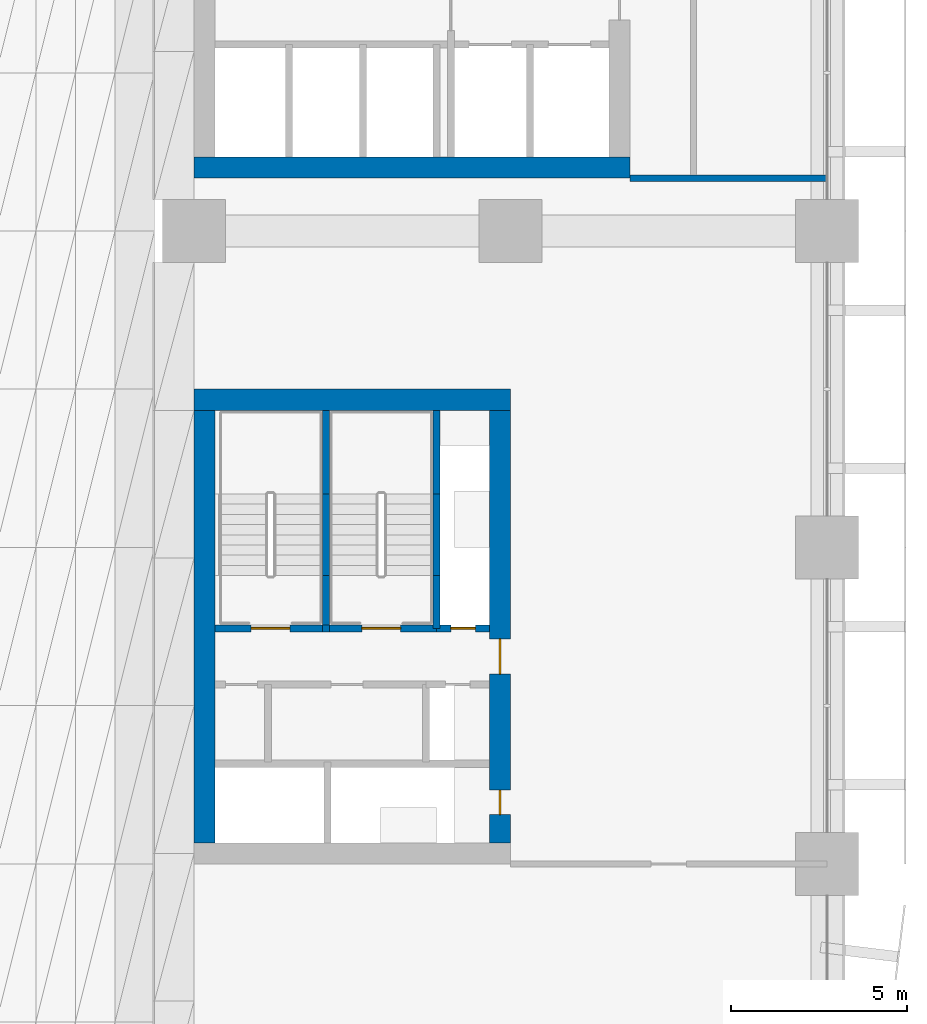
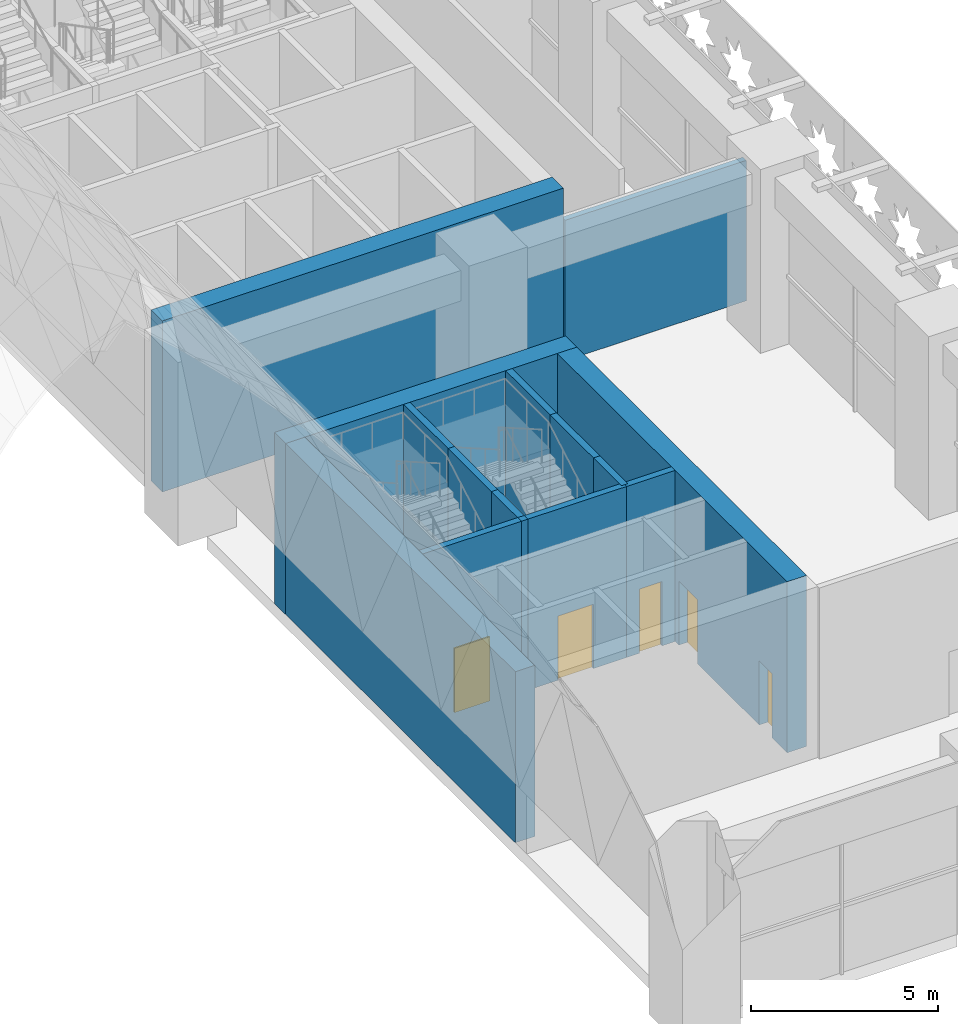
# One storey, part 18 of 46: 15 walls, 5 doors, 5 openings.
"""IFC4 building model written with IfcOpenShell, lengths in metres."""

from ifc_helpers import new_model, si_unit, direction, frame, frame_2d, origin, place, context, subcontext, project, spatial, rectangle, extrude, material, layer, layer_set, type_object, element, fill, save


model = new_model("IFC4")

# Units and contexts
model_context = context("Model", 3, precision=1e-05, world=origin(), true_north=direction((0.0, 1.0)))
body_context = subcontext(model_context, "Body", "Model", "MODEL_VIEW")
ifc_project = project(units=[si_unit("LENGTHUNIT", "METRE"), si_unit("AREAUNIT", "SQUARE_METRE"), si_unit("VOLUMEUNIT", "CUBIC_METRE"), si_unit("PLANEANGLEUNIT", "RADIAN"), si_unit("MASSUNIT", "GRAM", prefix="KILO")], contexts=[model_context])

# Site, building, storey
site_placement = place(None, origin())
site = spatial("IfcSite", under=ifc_project, at=site_placement, CompositionType="ELEMENT")
building_placement = place(site_placement, origin())
building = spatial("IfcBuilding", under=site, at=building_placement, Name="Tessera Arch", CompositionType="ELEMENT")
storey_placement = place(building_placement, frame((0.0, 0.0, 8.0)))
storey = spatial("IfcBuildingStorey", under=building, at=storey_placement, Name="L01", CompositionType="ELEMENT", Elevation=8.0)

# Walls
ifc_material_1 = material(Name="Concrete C70/85", Category="concrete")
ifc_layer_1 = layer(ifc_material_1, 0.60009765625)
ifc_layer_set_1 = layer_set([ifc_layer_1], Name="Core shell wall 600 C70-85")
wall_type_1 = type_object("IfcWallType", Name="Core shell wall 600 C70-85", PredefinedType="SHEAR", material=ifc_layer_set_1)
wall_1_placement = place(storey_placement, frame((36.0, 28.800048828125, 0.0), z_axis=(0.0, 0.0, 1.0), x_axis=(1.0, 0.0, 0.0)))
element("IfcWall", 1, at=wall_1_placement, inside=storey, type_object=wall_type_1, Name="L01 C1 core wall S", PredefinedType="SHEAR", context=body_context, shape_type="SweptSolid", body=[
    extrude(rectangle(XDim=12.39990234375, YDim=0.60009765625, at=frame_2d((6.199951171875, 0.0))), origin(), (0.0, 0.0, 1.0), 5.590087890625),
])
wall_2_placement = place(storey_placement, frame((36.0, 22.199951171875, 0.0), z_axis=(0.0, 0.0, 1.0), x_axis=(1.0, 0.0, 0.0)))
element("IfcWall", 2, at=wall_2_placement, inside=storey, type_object=wall_type_1, Name="L01 C3 core wall N", PredefinedType="SHEAR", context=body_context, shape_type="SweptSolid", body=[
    extrude(rectangle(XDim=9.0, YDim=0.60009765625, at=frame_2d((4.5, 0.0))), origin(), (0.0, 0.0, 1.0), 5.590087890625),
])
wall_3_placement = place(storey_placement, frame((36.300048828125, 9.60009765625, 0.0), z_axis=(0.0, 0.0, 1.0), x_axis=(0.0, 1.0, 0.0)))
element("IfcWall", 3, at=wall_3_placement, inside=storey, type_object=wall_type_1, Name="L01 C3 core wall W", PredefinedType="SHEAR", context=body_context, shape_type="SweptSolid", body=[
    extrude(rectangle(XDim=12.2998046875, YDim=0.60009765625, at=frame_2d((6.14990234375, 0.0))), origin(), (0.0, 0.0, 1.0), 5.590087890625),
])

# Wall, openings, doors
wall_4_placement = place(storey_placement, frame((44.699951171875, 9.60009765625, 0.0), z_axis=(0.0, 0.0, 1.0), x_axis=(0.0, 1.0, 0.0)))
wall_4 = element("IfcWall", 4, at=wall_4_placement, inside=storey, type_object=wall_type_1, Name="L01 C3 core wall E", PredefinedType="SHEAR", context=body_context, shape_type="SweptSolid", body=[
    extrude(rectangle(XDim=12.2998046875, YDim=0.60009765625, at=frame_2d((6.14990234375, 0.0))), origin(), (0.0, 0.0, 1.0), 5.590087890625),
])
opening_1_placement = place(wall_4_placement, frame((0.800048828125, 0.0, 0.0)))
opening_1 = element("IfcOpeningElement", 5, at=opening_1_placement, cuts=wall_4, Name="Opening L01-C33", PredefinedType="OPENING", context=body_context, shape_type="SweptSolid", body=[
    extrude(rectangle(XDim=0.699951171875, YDim=2.10009765625, at=frame_2d((0.35009765625, 1.050048828125))), frame((0.0, 0.31005859375, 0.0), z_axis=(0.0, -1.0, 0.0), x_axis=(1.0, 0.0, 0.0)), (0.0, 0.0, 1.0), 0.6201171875),
])
opening_2_placement = place(wall_4_placement, frame((4.800048828125, 0.0, 0.0)))
opening_2 = element("IfcOpeningElement", 6, at=opening_2_placement, cuts=wall_4, Name="Opening L01-C34", PredefinedType="OPENING", context=body_context, shape_type="SweptSolid", body=[
    extrude(rectangle(XDim=1.0, YDim=2.10009765625, at=frame_2d((0.5, 1.050048828125))), frame((0.0, 0.31005859375, 0.0), z_axis=(0.0, -1.0, 0.0), x_axis=(1.0, 0.0, 0.0)), (0.0, 0.0, 1.0), 0.6201171875),
])
ifc_material_2 = material(Name="Steel door leaf", Category="steel")
door_type_1 = type_object("IfcDoorType", Name="Corridor door FD60 1000 x 2100", OperationType="SINGLE_SWING_LEFT", PredefinedType="DOOR", material=ifc_material_2)
door_1_placement = place(opening_2_placement, origin())
door_1 = element("IfcDoor", 7, at=door_1_placement, inside=storey, type_object=door_type_1, Name="L01 C3 door 6 C34 type D12", OperationType="SINGLE_SWING_LEFT", OverallHeight=2.10009765625, OverallWidth=1.0, PredefinedType="DOOR", context=body_context, shape_type="SweptSolid", body=[
    extrude(rectangle(XDim=1.0, YDim=2.10009765625, at=frame_2d((0.5, 1.050048828125))), frame((0.0, 0.02490234375, 0.0), z_axis=(0.0, -1.0, 0.0), x_axis=(1.0, 0.0, 0.0)), (0.0, 0.0, 1.0), 0.050048828125),
])
fill(opening_2, door_1)
ifc_material_3 = material(Name="Steel door leaf", Category="steel")
door_type_2 = type_object("IfcDoorType", Name="Service shaft door FD60 700 x 2100", OperationType="SINGLE_SWING_LEFT", PredefinedType="DOOR", material=ifc_material_3)
door_2_placement = place(opening_1_placement, origin())
door_2 = element("IfcDoor", 8, at=door_2_placement, inside=storey, type_object=door_type_2, Name="L01 C3 door 5 C33 type D07", OperationType="SINGLE_SWING_LEFT", OverallHeight=2.10009765625, OverallWidth=0.699951171875, PredefinedType="DOOR", context=body_context, shape_type="SweptSolid", body=[
    extrude(rectangle(XDim=0.699951171875, YDim=2.10009765625, at=frame_2d((0.35009765625, 1.050048828125))), frame((0.0, 0.02490234375, 0.0), z_axis=(0.0, -1.0, 0.0), x_axis=(1.0, 0.0, 0.0)), (0.0, 0.0, 1.0), 0.050048828125),
])
fill(opening_1, door_2)

# Wall
ifc_material_4 = material(Name="Gypsum board on deep steel stud with mineral wool", Category="steel")
ifc_layer_2 = layer(ifc_material_4, 0.175048828125)
ifc_layer_set_2 = layer_set([ifc_layer_2], Name="Corridor wall 175 EI 60")
wall_type_2 = type_object("IfcWallType", Name="Corridor wall 175 EI 60", PredefinedType="PARTITIONING", material=ifc_layer_set_2)
wall_5_placement = place(storey_placement, frame((48.39990234375, 28.5, 0.0), z_axis=(0.0, 0.0, 1.0), x_axis=(1.0, 0.0, 0.0)))
element("IfcWall", 9, at=wall_5_placement, inside=storey, type_object=wall_type_2, Name="L01 partition 9", PredefinedType="PARTITIONING", context=body_context, shape_type="SweptSolid", body=[
    extrude(rectangle(XDim=5.60009765625, YDim=0.175048828125, at=frame_2d((2.800048828125, 0.0))), origin(), (0.0, 0.0, 1.0), 4.590087890625),
])

# Wall, opening, door
ifc_material_5 = material(Name="Concrete C40/50", Category="concrete")
ifc_layer_3 = layer(ifc_material_5, 0.199951171875)
ifc_layer_set_3 = layer_set([ifc_layer_3], Name="Shaft wall 200 EI 120")
wall_type_3 = type_object("IfcWallType", Name="Shaft wall 200 EI 120", PredefinedType="SOLIDWALL", material=ifc_layer_set_3)
wall_6_placement = place(storey_placement, frame((42.89990234375, 15.699951171875, 0.0), z_axis=(0.0, 0.0, 1.0), x_axis=(1.0, 0.0, 0.0)))
wall_6 = element("IfcWall", 10, at=wall_6_placement, inside=storey, type_object=wall_type_3, Name="L01 C3 shaft wall 13", PredefinedType="SOLIDWALL", context=body_context, shape_type="SweptSolid", body=[
    extrude(rectangle(XDim=1.5, YDim=0.199951171875, at=frame_2d((0.75, 0.0))), origin(), (0.0, 0.0, 1.0), 5.590087890625),
])
opening_3_placement = place(wall_6_placement, frame((0.39990234375, 0.0, 0.0)))
opening_3 = element("IfcOpeningElement", 11, at=opening_3_placement, cuts=wall_6, Name="Opening L01-C31", PredefinedType="OPENING", context=body_context, shape_type="SweptSolid", body=[
    extrude(rectangle(XDim=0.699951171875, YDim=2.10009765625, at=frame_2d((0.35009765625, 1.050048828125))), frame((0.0, 0.10986328125, 0.0), z_axis=(0.0, -1.0, 0.0), x_axis=(1.0, 0.0, 0.0)), (0.0, 0.0, 1.0), 0.219970703125),
])
door_3_placement = place(opening_3_placement, origin())
door_3 = element("IfcDoor", 12, at=door_3_placement, inside=storey, type_object=door_type_2, Name="L01 C3 door 3 C31 type D07", OperationType="SINGLE_SWING_LEFT", OverallHeight=2.10009765625, OverallWidth=0.699951171875, PredefinedType="DOOR", context=body_context, shape_type="SweptSolid", body=[
    extrude(rectangle(XDim=0.699951171875, YDim=2.10009765625, at=frame_2d((0.35009765625, 1.050048828125))), frame((0.0, 0.02490234375, 0.0), z_axis=(0.0, -1.0, 0.0), x_axis=(1.0, 0.0, 0.0)), (0.0, 0.0, 1.0), 0.050048828125),
])
fill(opening_3, door_3)

# Walls
ifc_material_6 = material(Name="Concrete C40/50", Category="concrete")
ifc_layer_4 = layer(ifc_material_6, 0.199951171875)
ifc_layer_set_4 = layer_set([ifc_layer_4], Name="Stair well wall 200 REI 180")
wall_type_4 = type_object("IfcWallType", Name="Stair well wall 200 REI 180", PredefinedType="SOLIDWALL", material=ifc_layer_set_4)
wall_7_placement = place(storey_placement, frame((39.75, 15.699951171875, 0.0), z_axis=(0.0, 0.0, 1.0), x_axis=(0.0, 1.0, 0.0)))
element("IfcWall", 13, at=wall_7_placement, inside=storey, type_object=wall_type_4, Name="L01 C3 shaft wall 2", PredefinedType="SOLIDWALL", context=body_context, shape_type="SweptSolid", body=[
    extrude(rectangle(XDim=1.5, YDim=0.199951171875, at=frame_2d((0.75, 0.0))), origin(), (0.0, 0.0, 1.0), 5.590087890625),
])
wall_8_placement = place(storey_placement, frame((39.75, 17.199951171875, 0.0), z_axis=(0.0, 0.0, 1.0), x_axis=(0.0, 1.0, 0.0)))
element("IfcWall", 14, at=wall_8_placement, inside=storey, type_object=wall_type_4, Name="L01 C3 shaft wall 3", PredefinedType="SOLIDWALL", context=body_context, shape_type="SweptSolid", body=[
    extrude(rectangle(XDim=2.320068359375, YDim=0.199951171875, at=frame_2d((1.16015625, 0.0))), origin(), (0.0, 0.0, 1.0), 5.590087890625),
])
wall_9_placement = place(storey_placement, frame((39.75, 19.52001953125, 0.0), z_axis=(0.0, 0.0, 1.0), x_axis=(0.0, 1.0, 0.0)))
element("IfcWall", 15, at=wall_9_placement, inside=storey, type_object=wall_type_4, Name="L01 C3 shaft wall 4", PredefinedType="SOLIDWALL", context=body_context, shape_type="SweptSolid", body=[
    extrude(rectangle(XDim=2.3798828125, YDim=0.199951171875, at=frame_2d((1.18994140625, 0.0))), origin(), (0.0, 0.0, 1.0), 5.590087890625),
])
wall_10_placement = place(storey_placement, frame((42.89990234375, 15.699951171875, 0.0), z_axis=(0.0, 0.0, 1.0), x_axis=(0.0, 1.0, 0.0)))
element("IfcWall", 16, at=wall_10_placement, inside=storey, type_object=wall_type_4, Name="L01 C3 shaft wall 7", PredefinedType="SOLIDWALL", context=body_context, shape_type="SweptSolid", body=[
    extrude(rectangle(XDim=1.5, YDim=0.199951171875, at=frame_2d((0.75, 0.0))), origin(), (0.0, 0.0, 1.0), 5.590087890625),
])
wall_11_placement = place(storey_placement, frame((42.89990234375, 17.199951171875, 0.0), z_axis=(0.0, 0.0, 1.0), x_axis=(0.0, 1.0, 0.0)))
element("IfcWall", 17, at=wall_11_placement, inside=storey, type_object=wall_type_4, Name="L01 C3 shaft wall 8", PredefinedType="SOLIDWALL", context=body_context, shape_type="SweptSolid", body=[
    extrude(rectangle(XDim=2.320068359375, YDim=0.199951171875, at=frame_2d((1.16015625, 0.0))), origin(), (0.0, 0.0, 1.0), 5.590087890625),
])
wall_12_placement = place(storey_placement, frame((42.89990234375, 19.52001953125, 0.0), z_axis=(0.0, 0.0, 1.0), x_axis=(0.0, 1.0, 0.0)))
element("IfcWall", 18, at=wall_12_placement, inside=storey, type_object=wall_type_4, Name="L01 C3 shaft wall 9", PredefinedType="SOLIDWALL", context=body_context, shape_type="SweptSolid", body=[
    extrude(rectangle(XDim=2.3798828125, YDim=0.199951171875, at=frame_2d((1.18994140625, 0.0))), origin(), (0.0, 0.0, 1.0), 5.590087890625),
])

# Wall, opening, door
wall_13_placement = place(storey_placement, frame((36.60009765625, 15.699951171875, 0.0), z_axis=(0.0, 0.0, 1.0), x_axis=(1.0, 0.0, 0.0)))
wall_13 = element("IfcWall", 19, at=wall_13_placement, inside=storey, type_object=wall_type_4, Name="L01 C3 shaft wall 14", PredefinedType="SOLIDWALL", context=body_context, shape_type="SweptSolid", body=[
    extrude(rectangle(XDim=3.0498046875, YDim=0.199951171875, at=frame_2d((1.52490234375, 0.0))), origin(), (0.0, 0.0, 1.0), 5.590087890625),
])
opening_4_placement = place(wall_13_placement, frame((1.02490234375, 0.0, 0.0)))
opening_4 = element("IfcOpeningElement", 20, at=opening_4_placement, cuts=wall_13, Name="Opening L01-C29", PredefinedType="OPENING", context=body_context, shape_type="SweptSolid", body=[
    extrude(rectangle(XDim=1.10009765625, YDim=2.10009765625, at=frame_2d((0.550048828125, 1.050048828125))), frame((0.0, 0.10986328125, 0.0), z_axis=(0.0, -1.0, 0.0), x_axis=(1.0, 0.0, 0.0)), (0.0, 0.0, 1.0), 0.219970703125),
])
ifc_material_7 = material(Name="Steel door leaf", Category="steel")
door_type_3 = type_object("IfcDoorType", Name="Stair door FD60 1100 x 2100", OperationType="SINGLE_SWING_LEFT", PredefinedType="DOOR", material=ifc_material_7)
door_4_placement = place(opening_4_placement, origin())
door_4 = element("IfcDoor", 21, at=door_4_placement, inside=storey, type_object=door_type_3, Name="L01 C3 door 1 C29 type D05", OperationType="SINGLE_SWING_RIGHT", OverallHeight=2.10009765625, OverallWidth=1.10009765625, PredefinedType="DOOR", context=body_context, shape_type="SweptSolid", body=[
    extrude(rectangle(XDim=1.10009765625, YDim=2.10009765625, at=frame_2d((0.550048828125, 1.050048828125))), frame((0.0, 0.02490234375, 0.0), z_axis=(0.0, -1.0, 0.0), x_axis=(1.0, 0.0, 0.0)), (0.0, 0.0, 1.0), 0.050048828125),
])
fill(opening_4, door_4)

# Wall
wall_14_placement = place(storey_placement, frame((39.64990234375, 15.699951171875, 0.0), z_axis=(0.0, 0.0, 1.0), x_axis=(1.0, 0.0, 0.0)))
element("IfcWall", 22, at=wall_14_placement, inside=storey, type_object=wall_type_4, Name="L01 C3 shaft wall 15", PredefinedType="SOLIDWALL", context=body_context, shape_type="SweptSolid", body=[
    extrude(rectangle(XDim=0.2001953125, YDim=0.199951171875, at=frame_2d((0.10009765625, 0.0))), origin(), (0.0, 0.0, 1.0), 5.590087890625),
])

# Wall, opening, door
wall_15_placement = place(storey_placement, frame((39.85009765625, 15.699951171875, 0.0), z_axis=(0.0, 0.0, 1.0), x_axis=(1.0, 0.0, 0.0)))
wall_15 = element("IfcWall", 23, at=wall_15_placement, inside=storey, type_object=wall_type_4, Name="L01 C3 shaft wall 16", PredefinedType="SOLIDWALL", context=body_context, shape_type="SweptSolid", body=[
    extrude(rectangle(XDim=3.0498046875, YDim=0.199951171875, at=frame_2d((1.52490234375, 0.0))), origin(), (0.0, 0.0, 1.0), 5.590087890625),
])
opening_5_placement = place(wall_15_placement, frame((0.925048828125, 0.0, 0.0)))
opening_5 = element("IfcOpeningElement", 24, at=opening_5_placement, cuts=wall_15, Name="Opening L01-C30", PredefinedType="OPENING", context=body_context, shape_type="SweptSolid", body=[
    extrude(rectangle(XDim=1.10009765625, YDim=2.10009765625, at=frame_2d((0.550048828125, 1.050048828125))), frame((0.0, 0.10986328125, 0.0), z_axis=(0.0, -1.0, 0.0), x_axis=(1.0, 0.0, 0.0)), (0.0, 0.0, 1.0), 0.219970703125),
])
door_5_placement = place(opening_5_placement, origin())
door_5 = element("IfcDoor", 25, at=door_5_placement, inside=storey, type_object=door_type_3, Name="L01 C3 door 2 C30 type D05", OperationType="SINGLE_SWING_LEFT", OverallHeight=2.10009765625, OverallWidth=1.10009765625, PredefinedType="DOOR", context=body_context, shape_type="SweptSolid", body=[
    extrude(rectangle(XDim=1.10009765625, YDim=2.10009765625, at=frame_2d((0.550048828125, 1.050048828125))), frame((0.0, 0.02490234375, 0.0), z_axis=(0.0, -1.0, 0.0), x_axis=(1.0, 0.0, 0.0)), (0.0, 0.0, 1.0), 0.050048828125),
])
fill(opening_5, door_5)

save(model, "model.ifc")
